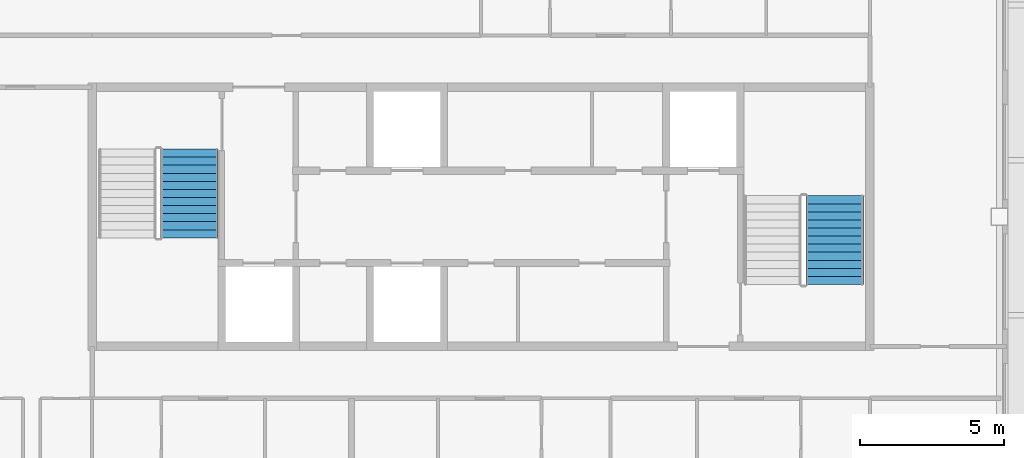
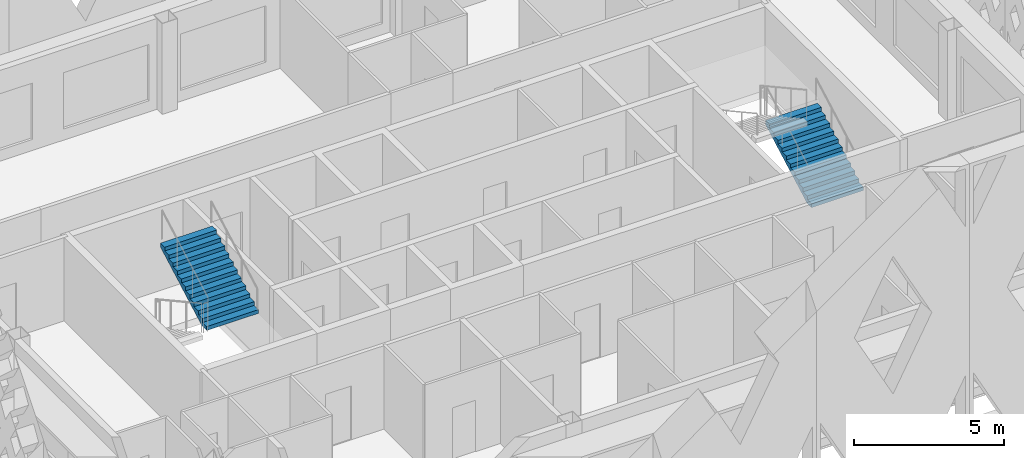
# One storey, part 8 of 13: 2 stair flights, 2 elements without a shape of their own.
"""IFC4 building model written with IfcOpenShell, lengths in metres."""

from ifc_helpers import new_model, si_unit, direction, frame, origin, place, context, subcontext, project, spatial, polygons, material, type_object, element, aggregate, save


model = new_model("IFC4")

# Units and contexts
model_context = context("Model", 3, precision=1e-05, world=origin(), true_north=direction((0.0, 1.0)))
body_context = subcontext(model_context, "Body", "Model", "MODEL_VIEW")
ifc_project = project(units=[si_unit("LENGTHUNIT", "METRE"), si_unit("AREAUNIT", "SQUARE_METRE"), si_unit("VOLUMEUNIT", "CUBIC_METRE"), si_unit("PLANEANGLEUNIT", "RADIAN"), si_unit("MASSUNIT", "GRAM", prefix="KILO")], contexts=[model_context])

# Site, building, storey
site_placement = place(None, origin())
site = spatial("IfcSite", under=ifc_project, at=site_placement, CompositionType="ELEMENT")
building_placement = place(site_placement, origin())
building = spatial("IfcBuilding", under=site, at=building_placement, Name="Caravel Reach Hotel and Residences", CompositionType="ELEMENT")
storey_placement = place(building_placement, frame((0.0, 0.0, 294.5)))
storey = spatial("IfcBuildingStorey", under=building, at=storey_placement, Name="L75", CompositionType="ELEMENT", Elevation=294.5)

# Stair, stair flight
ifc_material_1 = material(Name="Concrete C40", Category="concrete")
stair_type = type_object("IfcStairType", Name="Core stair", PredefinedType="HALF_TURN_STAIR", material=ifc_material_1)
stair_1_placement = place(storey_placement, origin())
stair_1 = element("IfcStair", 1, at=stair_1_placement, inside=storey, type_object=stair_type, Name="L75 Exit stair A", PredefinedType="HALF_TURN_STAIR")
ifc_material_2 = material(Name="Concrete C40", Category="concrete")
stair_flight_type = type_object("IfcStairFlightType", Name="Core stair flight", PredefinedType="STRAIGHT", material=ifc_material_2)
stair_flight_1_placement = place(storey_placement, frame((21.375, 26.27001953125, 1.85009765625), z_axis=(0.0, 0.0, 1.0), x_axis=(0.0, 1.0, 0.0)))
stair_flight_1 = element("IfcStairFlight", 2, at=stair_flight_1_placement, type_object=stair_flight_type, Name="ST-A flight 2", NumberOfRisers=12, NumberOfTreads=11, PredefinedType="STRAIGHT", RiserHeight=0.154166667, TreadLength=0.28, context=body_context, shape_type="Tessellation", body=[
    polygons([(0.3107950034306102, 1.0, 0.0), (0.3107950034306102, 0.6666666666666667, 0.0), (0.3107950034306102, 0.33333333333333337, 0.0), (0.3107950034306102, 0.0, 0.0), (0.3107950034306102, -0.33333333333333326, 0.0), (0.3107950034306102, -0.6666666666666667, 0.0), (0.3107950034306102, -1.0, 0.0), (3.081, 1.0, 1.524711087717319), (3.081, 0.6666666666666667, 1.524711087717319), (3.081, 0.33333333333333337, 1.524711087717319), (3.081, 0.0, 1.524711087717319), (3.081, -0.33333333333333326, 1.524711087717319), (3.081, -0.6666666666666667, 1.524711087717319), (3.081, -1.0, 1.524711087717319), (3.081, 1.0, 1.695833337), (3.081, 0.6666666666666667, 1.695833337), (3.081, 0.33333333333333337, 1.695833337), (3.081, 0.0, 1.695833337), (3.081, -0.33333333333333326, 1.695833337), (3.081, -0.6666666666666667, 1.695833337), (3.081, -1.0, 1.695833337), (2.8000000000000003, 1.0, 1.695833337), (2.8000000000000003, 0.6666666666666667, 1.695833337), (2.8000000000000003, 0.33333333333333337, 1.695833337), (2.8000000000000003, 0.0, 1.695833337), (2.8000000000000003, -0.33333333333333326, 1.695833337), (2.8000000000000003, -0.6666666666666667, 1.695833337), (2.8000000000000003, -1.0, 1.695833337), (2.8000000000000003, 1.0, 1.5416666700000001), (2.8000000000000003, 0.6666666666666667, 1.5416666700000001), (2.8000000000000003, 0.33333333333333337, 1.5416666700000001), (2.8000000000000003, 0.0, 1.5416666700000001), (2.8000000000000003, -0.33333333333333326, 1.5416666700000001), (2.8000000000000003, -0.6666666666666667, 1.5416666700000001), (2.8000000000000003, -1.0, 1.5416666700000001), (2.5200000000000005, 1.0, 1.5416666700000001), (2.5200000000000005, 0.6666666666666667, 1.5416666700000001), (2.5200000000000005, 0.33333333333333337, 1.5416666700000001), (2.5200000000000005, 0.0, 1.5416666700000001), (2.5200000000000005, -0.33333333333333326, 1.5416666700000001), (2.5200000000000005, -0.6666666666666667, 1.5416666700000001), (2.5200000000000005, -1.0, 1.5416666700000001), (2.5200000000000005, 1.0, 1.387500003), (2.5200000000000005, 0.6666666666666667, 1.387500003), (2.5200000000000005, 0.33333333333333337, 1.387500003), (2.5200000000000005, 0.0, 1.387500003), (2.5200000000000005, -0.33333333333333326, 1.387500003), (2.5200000000000005, -0.6666666666666667, 1.387500003), (2.5200000000000005, -1.0, 1.387500003), (2.24, 1.0, 1.387500003), (2.24, 0.6666666666666667, 1.387500003), (2.24, 0.33333333333333337, 1.387500003), (2.24, 0.0, 1.387500003), (2.24, -0.33333333333333326, 1.387500003), (2.24, -0.6666666666666667, 1.387500003), (2.24, -1.0, 1.387500003), (2.24, 1.0, 1.233333336), (2.24, 0.6666666666666667, 1.233333336), (2.24, 0.33333333333333337, 1.233333336), (2.24, 0.0, 1.233333336), (2.24, -0.33333333333333326, 1.233333336), (2.24, -0.6666666666666667, 1.233333336), (2.24, -1.0, 1.233333336), (1.9600000000000002, 1.0, 1.233333336), (1.9600000000000002, 0.6666666666666667, 1.233333336), (1.9600000000000002, 0.33333333333333337, 1.233333336), (1.9600000000000002, 0.0, 1.233333336), (1.9600000000000002, -0.33333333333333326, 1.233333336), (1.9600000000000002, -0.6666666666666667, 1.233333336), (1.9600000000000002, -1.0, 1.233333336), (1.9600000000000002, 1.0, 1.0791666690000001), (1.9600000000000002, 0.6666666666666667, 1.0791666690000001), (1.9600000000000002, 0.33333333333333337, 1.0791666690000001), (1.9600000000000002, 0.0, 1.0791666690000001), (1.9600000000000002, -0.33333333333333326, 1.0791666690000001), (1.9600000000000002, -0.6666666666666667, 1.0791666690000001), (1.9600000000000002, -1.0, 1.0791666690000001), (1.6800000000000002, 1.0, 1.0791666690000001), (1.6800000000000002, 0.6666666666666667, 1.0791666690000001), (1.6800000000000002, 0.33333333333333337, 1.0791666690000001), (1.6800000000000002, 0.0, 1.0791666690000001), (1.6800000000000002, -0.33333333333333326, 1.0791666690000001), (1.6800000000000002, -0.6666666666666667, 1.0791666690000001), (1.6800000000000002, -1.0, 1.0791666690000001), (1.6800000000000002, 1.0, 0.925000002), (1.6800000000000002, 0.6666666666666667, 0.925000002), (1.6800000000000002, 0.33333333333333337, 0.925000002), (1.6800000000000002, 0.0, 0.925000002), (1.6800000000000002, -0.33333333333333326, 0.925000002), (1.6800000000000002, -0.6666666666666667, 0.925000002), (1.6800000000000002, -1.0, 0.925000002), (1.4000000000000001, 1.0, 0.925000002), (1.4000000000000001, 0.6666666666666667, 0.925000002), (1.4000000000000001, 0.33333333333333337, 0.925000002), (1.4000000000000001, 0.0, 0.925000002), (1.4000000000000001, -0.33333333333333326, 0.925000002), (1.4000000000000001, -0.6666666666666667, 0.925000002), (1.4000000000000001, -1.0, 0.925000002), (1.4000000000000001, 1.0, 0.7708333350000001), (1.4000000000000001, 0.6666666666666667, 0.7708333350000001), (1.4000000000000001, 0.33333333333333337, 0.7708333350000001), (1.4000000000000001, 0.0, 0.7708333350000001), (1.4000000000000001, -0.33333333333333326, 0.7708333350000001), (1.4000000000000001, -0.6666666666666667, 0.7708333350000001), (1.4000000000000001, -1.0, 0.7708333350000001), (1.12, 1.0, 0.7708333350000001), (1.12, 0.6666666666666667, 0.7708333350000001), (1.12, 0.33333333333333337, 0.7708333350000001), (1.12, 0.0, 0.7708333350000001), (1.12, -0.33333333333333326, 0.7708333350000001), (1.12, -0.6666666666666667, 0.7708333350000001), (1.12, -1.0, 0.7708333350000001), (1.12, 1.0, 0.616666668), (1.12, 0.6666666666666667, 0.616666668), (1.12, 0.33333333333333337, 0.616666668), (1.12, 0.0, 0.616666668), (1.12, -0.33333333333333326, 0.616666668), (1.12, -0.6666666666666667, 0.616666668), (1.12, -1.0, 0.616666668), (0.8400000000000001, 1.0, 0.616666668), (0.8400000000000001, 0.6666666666666667, 0.616666668), (0.8400000000000001, 0.33333333333333337, 0.616666668), (0.8400000000000001, 0.0, 0.616666668), (0.8400000000000001, -0.33333333333333326, 0.616666668), (0.8400000000000001, -0.6666666666666667, 0.616666668), (0.8400000000000001, -1.0, 0.616666668), (0.8400000000000001, 1.0, 0.462500001), (0.8400000000000001, 0.6666666666666667, 0.462500001), (0.8400000000000001, 0.33333333333333337, 0.462500001), (0.8400000000000001, 0.0, 0.462500001), (0.8400000000000001, -0.33333333333333326, 0.462500001), (0.8400000000000001, -0.6666666666666667, 0.462500001), (0.8400000000000001, -1.0, 0.462500001), (0.56, 1.0, 0.462500001), (0.56, 0.6666666666666667, 0.462500001), (0.56, 0.33333333333333337, 0.462500001), (0.56, 0.0, 0.462500001), (0.56, -0.33333333333333326, 0.462500001), (0.56, -0.6666666666666667, 0.462500001), (0.56, -1.0, 0.462500001), (0.56, 1.0, 0.308333334), (0.56, 0.6666666666666667, 0.308333334), (0.56, 0.33333333333333337, 0.308333334), (0.56, 0.0, 0.308333334), (0.56, -0.33333333333333326, 0.308333334), (0.56, -0.6666666666666667, 0.308333334), (0.56, -1.0, 0.308333334), (0.28, 1.0, 0.308333334), (0.28, 0.6666666666666667, 0.308333334), (0.28, 0.33333333333333337, 0.308333334), (0.28, 0.0, 0.308333334), (0.28, -0.33333333333333326, 0.308333334), (0.28, -0.6666666666666667, 0.308333334), (0.28, -1.0, 0.308333334), (0.28, 1.0, 0.154166667), (0.28, 0.6666666666666667, 0.154166667), (0.28, 0.33333333333333337, 0.154166667), (0.28, 0.0, 0.154166667), (0.28, -0.33333333333333326, 0.154166667), (0.28, -0.6666666666666667, 0.154166667), (0.28, -1.0, 0.154166667), (-0.001, 1.0, 0.154166667), (-0.001, 0.6666666666666667, 0.154166667), (-0.001, 0.33333333333333337, 0.154166667), (-0.001, 0.0, 0.154166667), (-0.001, -0.33333333333333326, 0.154166667), (-0.001, -0.6666666666666667, 0.154166667), (-0.001, -1.0, 0.154166667), (-0.001, 1.0, 0.0), (-0.001, 0.6666666666666667, 0.0), (-0.001, 0.33333333333333337, 0.0), (-0.001, 0.0, 0.0), (-0.001, -0.33333333333333326, 0.0), (-0.001, -0.6666666666666667, 0.0), (-0.001, -1.0, 0.0)], [[[169, 162, 155, 148, 141, 134, 127, 120, 113, 106, 99, 92, 85, 78, 71, 64, 57, 50, 43, 36, 29, 22, 15, 8, 1]], [[7, 14, 21, 28, 35, 42, 49, 56, 63, 70, 77, 84, 91, 98, 105, 112, 119, 126, 133, 140, 147, 154, 161, 168, 175]], [[1, 8, 9, 2]], [[2, 9, 10, 3]], [[3, 10, 11, 4]], [[4, 11, 12, 5]], [[5, 12, 13, 6]], [[6, 13, 14, 7]], [[8, 15, 16, 9]], [[9, 16, 17, 10]], [[10, 17, 18, 11]], [[11, 18, 19, 12]], [[12, 19, 20, 13]], [[13, 20, 21, 14]], [[15, 22, 23, 16]], [[16, 23, 24, 17]], [[17, 24, 25, 18]], [[18, 25, 26, 19]], [[19, 26, 27, 20]], [[20, 27, 28, 21]], [[22, 29, 30, 23]], [[23, 30, 31, 24]], [[24, 31, 32, 25]], [[25, 32, 33, 26]], [[26, 33, 34, 27]], [[27, 34, 35, 28]], [[29, 36, 37, 30]], [[30, 37, 38, 31]], [[31, 38, 39, 32]], [[32, 39, 40, 33]], [[33, 40, 41, 34]], [[34, 41, 42, 35]], [[36, 43, 44, 37]], [[37, 44, 45, 38]], [[38, 45, 46, 39]], [[39, 46, 47, 40]], [[40, 47, 48, 41]], [[41, 48, 49, 42]], [[43, 50, 51, 44]], [[44, 51, 52, 45]], [[45, 52, 53, 46]], [[46, 53, 54, 47]], [[47, 54, 55, 48]], [[48, 55, 56, 49]], [[50, 57, 58, 51]], [[51, 58, 59, 52]], [[52, 59, 60, 53]], [[53, 60, 61, 54]], [[54, 61, 62, 55]], [[55, 62, 63, 56]], [[57, 64, 65, 58]], [[58, 65, 66, 59]], [[59, 66, 67, 60]], [[60, 67, 68, 61]], [[61, 68, 69, 62]], [[62, 69, 70, 63]], [[64, 71, 72, 65]], [[65, 72, 73, 66]], [[66, 73, 74, 67]], [[67, 74, 75, 68]], [[68, 75, 76, 69]], [[69, 76, 77, 70]], [[71, 78, 79, 72]], [[72, 79, 80, 73]], [[73, 80, 81, 74]], [[74, 81, 82, 75]], [[75, 82, 83, 76]], [[76, 83, 84, 77]], [[78, 85, 86, 79]], [[79, 86, 87, 80]], [[80, 87, 88, 81]], [[81, 88, 89, 82]], [[82, 89, 90, 83]], [[83, 90, 91, 84]], [[85, 92, 93, 86]], [[86, 93, 94, 87]], [[87, 94, 95, 88]], [[88, 95, 96, 89]], [[89, 96, 97, 90]], [[90, 97, 98, 91]], [[92, 99, 100, 93]], [[93, 100, 101, 94]], [[94, 101, 102, 95]], [[95, 102, 103, 96]], [[96, 103, 104, 97]], [[97, 104, 105, 98]], [[99, 106, 107, 100]], [[100, 107, 108, 101]], [[101, 108, 109, 102]], [[102, 109, 110, 103]], [[103, 110, 111, 104]], [[104, 111, 112, 105]], [[106, 113, 114, 107]], [[107, 114, 115, 108]], [[108, 115, 116, 109]], [[109, 116, 117, 110]], [[110, 117, 118, 111]], [[111, 118, 119, 112]], [[113, 120, 121, 114]], [[114, 121, 122, 115]], [[115, 122, 123, 116]], [[116, 123, 124, 117]], [[117, 124, 125, 118]], [[118, 125, 126, 119]], [[120, 127, 128, 121]], [[121, 128, 129, 122]], [[122, 129, 130, 123]], [[123, 130, 131, 124]], [[124, 131, 132, 125]], [[125, 132, 133, 126]], [[127, 134, 135, 128]], [[128, 135, 136, 129]], [[129, 136, 137, 130]], [[130, 137, 138, 131]], [[131, 138, 139, 132]], [[132, 139, 140, 133]], [[134, 141, 142, 135]], [[135, 142, 143, 136]], [[136, 143, 144, 137]], [[137, 144, 145, 138]], [[138, 145, 146, 139]], [[139, 146, 147, 140]], [[141, 148, 149, 142]], [[142, 149, 150, 143]], [[143, 150, 151, 144]], [[144, 151, 152, 145]], [[145, 152, 153, 146]], [[146, 153, 154, 147]], [[148, 155, 156, 149]], [[149, 156, 157, 150]], [[150, 157, 158, 151]], [[151, 158, 159, 152]], [[152, 159, 160, 153]], [[153, 160, 161, 154]], [[155, 162, 163, 156]], [[156, 163, 164, 157]], [[157, 164, 165, 158]], [[158, 165, 166, 159]], [[159, 166, 167, 160]], [[160, 167, 168, 161]], [[162, 169, 170, 163]], [[163, 170, 171, 164]], [[164, 171, 172, 165]], [[165, 172, 173, 166]], [[166, 173, 174, 167]], [[167, 174, 175, 168]], [[169, 1, 2, 170]], [[170, 2, 3, 171]], [[171, 3, 4, 172]], [[172, 4, 5, 173]], [[173, 5, 6, 174]], [[174, 6, 7, 175]]], closed=True),
])
aggregate(stair_1, [stair_flight_1])

stair_2_placement = place(storey_placement, origin())
stair_2 = element("IfcStair", 3, at=stair_2_placement, inside=storey, type_object=stair_type, Name="L75 Exit stair B", PredefinedType="HALF_TURN_STAIR")
stair_flight_2_placement = place(storey_placement, frame((43.77490234375, 24.64990234375, 0.0), z_axis=(0.0, 0.0, 1.0), x_axis=(0.0, 1.0, 0.0)))
stair_flight_2 = element("IfcStairFlight", 4, at=stair_flight_2_placement, type_object=stair_flight_type, Name="ST-B flight 1", NumberOfRisers=12, NumberOfTreads=11, PredefinedType="STRAIGHT", RiserHeight=0.154166667, TreadLength=0.28, context=body_context, shape_type="Tessellation", body=[
    polygons([(0.3107950034306102, 1.0, 0.0), (0.3107950034306102, 0.6666666666666667, 0.0), (0.3107950034306102, 0.33333333333333337, 0.0), (0.3107950034306102, 0.0, 0.0), (0.3107950034306102, -0.33333333333333326, 0.0), (0.3107950034306102, -0.6666666666666667, 0.0), (0.3107950034306102, -1.0, 0.0), (3.081, 1.0, 1.524711087717319), (3.081, 0.6666666666666667, 1.524711087717319), (3.081, 0.33333333333333337, 1.524711087717319), (3.081, 0.0, 1.524711087717319), (3.081, -0.33333333333333326, 1.524711087717319), (3.081, -0.6666666666666667, 1.524711087717319), (3.081, -1.0, 1.524711087717319), (3.081, 1.0, 1.695833337), (3.081, 0.6666666666666667, 1.695833337), (3.081, 0.33333333333333337, 1.695833337), (3.081, 0.0, 1.695833337), (3.081, -0.33333333333333326, 1.695833337), (3.081, -0.6666666666666667, 1.695833337), (3.081, -1.0, 1.695833337), (2.8000000000000003, 1.0, 1.695833337), (2.8000000000000003, 0.6666666666666667, 1.695833337), (2.8000000000000003, 0.33333333333333337, 1.695833337), (2.8000000000000003, 0.0, 1.695833337), (2.8000000000000003, -0.33333333333333326, 1.695833337), (2.8000000000000003, -0.6666666666666667, 1.695833337), (2.8000000000000003, -1.0, 1.695833337), (2.8000000000000003, 1.0, 1.5416666700000001), (2.8000000000000003, 0.6666666666666667, 1.5416666700000001), (2.8000000000000003, 0.33333333333333337, 1.5416666700000001), (2.8000000000000003, 0.0, 1.5416666700000001), (2.8000000000000003, -0.33333333333333326, 1.5416666700000001), (2.8000000000000003, -0.6666666666666667, 1.5416666700000001), (2.8000000000000003, -1.0, 1.5416666700000001), (2.5200000000000005, 1.0, 1.5416666700000001), (2.5200000000000005, 0.6666666666666667, 1.5416666700000001), (2.5200000000000005, 0.33333333333333337, 1.5416666700000001), (2.5200000000000005, 0.0, 1.5416666700000001), (2.5200000000000005, -0.33333333333333326, 1.5416666700000001), (2.5200000000000005, -0.6666666666666667, 1.5416666700000001), (2.5200000000000005, -1.0, 1.5416666700000001), (2.5200000000000005, 1.0, 1.387500003), (2.5200000000000005, 0.6666666666666667, 1.387500003), (2.5200000000000005, 0.33333333333333337, 1.387500003), (2.5200000000000005, 0.0, 1.387500003), (2.5200000000000005, -0.33333333333333326, 1.387500003), (2.5200000000000005, -0.6666666666666667, 1.387500003), (2.5200000000000005, -1.0, 1.387500003), (2.24, 1.0, 1.387500003), (2.24, 0.6666666666666667, 1.387500003), (2.24, 0.33333333333333337, 1.387500003), (2.24, 0.0, 1.387500003), (2.24, -0.33333333333333326, 1.387500003), (2.24, -0.6666666666666667, 1.387500003), (2.24, -1.0, 1.387500003), (2.24, 1.0, 1.233333336), (2.24, 0.6666666666666667, 1.233333336), (2.24, 0.33333333333333337, 1.233333336), (2.24, 0.0, 1.233333336), (2.24, -0.33333333333333326, 1.233333336), (2.24, -0.6666666666666667, 1.233333336), (2.24, -1.0, 1.233333336), (1.9600000000000002, 1.0, 1.233333336), (1.9600000000000002, 0.6666666666666667, 1.233333336), (1.9600000000000002, 0.33333333333333337, 1.233333336), (1.9600000000000002, 0.0, 1.233333336), (1.9600000000000002, -0.33333333333333326, 1.233333336), (1.9600000000000002, -0.6666666666666667, 1.233333336), (1.9600000000000002, -1.0, 1.233333336), (1.9600000000000002, 1.0, 1.0791666690000001), (1.9600000000000002, 0.6666666666666667, 1.0791666690000001), (1.9600000000000002, 0.33333333333333337, 1.0791666690000001), (1.9600000000000002, 0.0, 1.0791666690000001), (1.9600000000000002, -0.33333333333333326, 1.0791666690000001), (1.9600000000000002, -0.6666666666666667, 1.0791666690000001), (1.9600000000000002, -1.0, 1.0791666690000001), (1.6800000000000002, 1.0, 1.0791666690000001), (1.6800000000000002, 0.6666666666666667, 1.0791666690000001), (1.6800000000000002, 0.33333333333333337, 1.0791666690000001), (1.6800000000000002, 0.0, 1.0791666690000001), (1.6800000000000002, -0.33333333333333326, 1.0791666690000001), (1.6800000000000002, -0.6666666666666667, 1.0791666690000001), (1.6800000000000002, -1.0, 1.0791666690000001), (1.6800000000000002, 1.0, 0.925000002), (1.6800000000000002, 0.6666666666666667, 0.925000002), (1.6800000000000002, 0.33333333333333337, 0.925000002), (1.6800000000000002, 0.0, 0.925000002), (1.6800000000000002, -0.33333333333333326, 0.925000002), (1.6800000000000002, -0.6666666666666667, 0.925000002), (1.6800000000000002, -1.0, 0.925000002), (1.4000000000000001, 1.0, 0.925000002), (1.4000000000000001, 0.6666666666666667, 0.925000002), (1.4000000000000001, 0.33333333333333337, 0.925000002), (1.4000000000000001, 0.0, 0.925000002), (1.4000000000000001, -0.33333333333333326, 0.925000002), (1.4000000000000001, -0.6666666666666667, 0.925000002), (1.4000000000000001, -1.0, 0.925000002), (1.4000000000000001, 1.0, 0.7708333350000001), (1.4000000000000001, 0.6666666666666667, 0.7708333350000001), (1.4000000000000001, 0.33333333333333337, 0.7708333350000001), (1.4000000000000001, 0.0, 0.7708333350000001), (1.4000000000000001, -0.33333333333333326, 0.7708333350000001), (1.4000000000000001, -0.6666666666666667, 0.7708333350000001), (1.4000000000000001, -1.0, 0.7708333350000001), (1.12, 1.0, 0.7708333350000001), (1.12, 0.6666666666666667, 0.7708333350000001), (1.12, 0.33333333333333337, 0.7708333350000001), (1.12, 0.0, 0.7708333350000001), (1.12, -0.33333333333333326, 0.7708333350000001), (1.12, -0.6666666666666667, 0.7708333350000001), (1.12, -1.0, 0.7708333350000001), (1.12, 1.0, 0.616666668), (1.12, 0.6666666666666667, 0.616666668), (1.12, 0.33333333333333337, 0.616666668), (1.12, 0.0, 0.616666668), (1.12, -0.33333333333333326, 0.616666668), (1.12, -0.6666666666666667, 0.616666668), (1.12, -1.0, 0.616666668), (0.8400000000000001, 1.0, 0.616666668), (0.8400000000000001, 0.6666666666666667, 0.616666668), (0.8400000000000001, 0.33333333333333337, 0.616666668), (0.8400000000000001, 0.0, 0.616666668), (0.8400000000000001, -0.33333333333333326, 0.616666668), (0.8400000000000001, -0.6666666666666667, 0.616666668), (0.8400000000000001, -1.0, 0.616666668), (0.8400000000000001, 1.0, 0.462500001), (0.8400000000000001, 0.6666666666666667, 0.462500001), (0.8400000000000001, 0.33333333333333337, 0.462500001), (0.8400000000000001, 0.0, 0.462500001), (0.8400000000000001, -0.33333333333333326, 0.462500001), (0.8400000000000001, -0.6666666666666667, 0.462500001), (0.8400000000000001, -1.0, 0.462500001), (0.56, 1.0, 0.462500001), (0.56, 0.6666666666666667, 0.462500001), (0.56, 0.33333333333333337, 0.462500001), (0.56, 0.0, 0.462500001), (0.56, -0.33333333333333326, 0.462500001), (0.56, -0.6666666666666667, 0.462500001), (0.56, -1.0, 0.462500001), (0.56, 1.0, 0.308333334), (0.56, 0.6666666666666667, 0.308333334), (0.56, 0.33333333333333337, 0.308333334), (0.56, 0.0, 0.308333334), (0.56, -0.33333333333333326, 0.308333334), (0.56, -0.6666666666666667, 0.308333334), (0.56, -1.0, 0.308333334), (0.28, 1.0, 0.308333334), (0.28, 0.6666666666666667, 0.308333334), (0.28, 0.33333333333333337, 0.308333334), (0.28, 0.0, 0.308333334), (0.28, -0.33333333333333326, 0.308333334), (0.28, -0.6666666666666667, 0.308333334), (0.28, -1.0, 0.308333334), (0.28, 1.0, 0.154166667), (0.28, 0.6666666666666667, 0.154166667), (0.28, 0.33333333333333337, 0.154166667), (0.28, 0.0, 0.154166667), (0.28, -0.33333333333333326, 0.154166667), (0.28, -0.6666666666666667, 0.154166667), (0.28, -1.0, 0.154166667), (-0.001, 1.0, 0.154166667), (-0.001, 0.6666666666666667, 0.154166667), (-0.001, 0.33333333333333337, 0.154166667), (-0.001, 0.0, 0.154166667), (-0.001, -0.33333333333333326, 0.154166667), (-0.001, -0.6666666666666667, 0.154166667), (-0.001, -1.0, 0.154166667), (-0.001, 1.0, 0.0), (-0.001, 0.6666666666666667, 0.0), (-0.001, 0.33333333333333337, 0.0), (-0.001, 0.0, 0.0), (-0.001, -0.33333333333333326, 0.0), (-0.001, -0.6666666666666667, 0.0), (-0.001, -1.0, 0.0)], [[[169, 162, 155, 148, 141, 134, 127, 120, 113, 106, 99, 92, 85, 78, 71, 64, 57, 50, 43, 36, 29, 22, 15, 8, 1]], [[7, 14, 21, 28, 35, 42, 49, 56, 63, 70, 77, 84, 91, 98, 105, 112, 119, 126, 133, 140, 147, 154, 161, 168, 175]], [[1, 8, 9, 2]], [[2, 9, 10, 3]], [[3, 10, 11, 4]], [[4, 11, 12, 5]], [[5, 12, 13, 6]], [[6, 13, 14, 7]], [[8, 15, 16, 9]], [[9, 16, 17, 10]], [[10, 17, 18, 11]], [[11, 18, 19, 12]], [[12, 19, 20, 13]], [[13, 20, 21, 14]], [[15, 22, 23, 16]], [[16, 23, 24, 17]], [[17, 24, 25, 18]], [[18, 25, 26, 19]], [[19, 26, 27, 20]], [[20, 27, 28, 21]], [[22, 29, 30, 23]], [[23, 30, 31, 24]], [[24, 31, 32, 25]], [[25, 32, 33, 26]], [[26, 33, 34, 27]], [[27, 34, 35, 28]], [[29, 36, 37, 30]], [[30, 37, 38, 31]], [[31, 38, 39, 32]], [[32, 39, 40, 33]], [[33, 40, 41, 34]], [[34, 41, 42, 35]], [[36, 43, 44, 37]], [[37, 44, 45, 38]], [[38, 45, 46, 39]], [[39, 46, 47, 40]], [[40, 47, 48, 41]], [[41, 48, 49, 42]], [[43, 50, 51, 44]], [[44, 51, 52, 45]], [[45, 52, 53, 46]], [[46, 53, 54, 47]], [[47, 54, 55, 48]], [[48, 55, 56, 49]], [[50, 57, 58, 51]], [[51, 58, 59, 52]], [[52, 59, 60, 53]], [[53, 60, 61, 54]], [[54, 61, 62, 55]], [[55, 62, 63, 56]], [[57, 64, 65, 58]], [[58, 65, 66, 59]], [[59, 66, 67, 60]], [[60, 67, 68, 61]], [[61, 68, 69, 62]], [[62, 69, 70, 63]], [[64, 71, 72, 65]], [[65, 72, 73, 66]], [[66, 73, 74, 67]], [[67, 74, 75, 68]], [[68, 75, 76, 69]], [[69, 76, 77, 70]], [[71, 78, 79, 72]], [[72, 79, 80, 73]], [[73, 80, 81, 74]], [[74, 81, 82, 75]], [[75, 82, 83, 76]], [[76, 83, 84, 77]], [[78, 85, 86, 79]], [[79, 86, 87, 80]], [[80, 87, 88, 81]], [[81, 88, 89, 82]], [[82, 89, 90, 83]], [[83, 90, 91, 84]], [[85, 92, 93, 86]], [[86, 93, 94, 87]], [[87, 94, 95, 88]], [[88, 95, 96, 89]], [[89, 96, 97, 90]], [[90, 97, 98, 91]], [[92, 99, 100, 93]], [[93, 100, 101, 94]], [[94, 101, 102, 95]], [[95, 102, 103, 96]], [[96, 103, 104, 97]], [[97, 104, 105, 98]], [[99, 106, 107, 100]], [[100, 107, 108, 101]], [[101, 108, 109, 102]], [[102, 109, 110, 103]], [[103, 110, 111, 104]], [[104, 111, 112, 105]], [[106, 113, 114, 107]], [[107, 114, 115, 108]], [[108, 115, 116, 109]], [[109, 116, 117, 110]], [[110, 117, 118, 111]], [[111, 118, 119, 112]], [[113, 120, 121, 114]], [[114, 121, 122, 115]], [[115, 122, 123, 116]], [[116, 123, 124, 117]], [[117, 124, 125, 118]], [[118, 125, 126, 119]], [[120, 127, 128, 121]], [[121, 128, 129, 122]], [[122, 129, 130, 123]], [[123, 130, 131, 124]], [[124, 131, 132, 125]], [[125, 132, 133, 126]], [[127, 134, 135, 128]], [[128, 135, 136, 129]], [[129, 136, 137, 130]], [[130, 137, 138, 131]], [[131, 138, 139, 132]], [[132, 139, 140, 133]], [[134, 141, 142, 135]], [[135, 142, 143, 136]], [[136, 143, 144, 137]], [[137, 144, 145, 138]], [[138, 145, 146, 139]], [[139, 146, 147, 140]], [[141, 148, 149, 142]], [[142, 149, 150, 143]], [[143, 150, 151, 144]], [[144, 151, 152, 145]], [[145, 152, 153, 146]], [[146, 153, 154, 147]], [[148, 155, 156, 149]], [[149, 156, 157, 150]], [[150, 157, 158, 151]], [[151, 158, 159, 152]], [[152, 159, 160, 153]], [[153, 160, 161, 154]], [[155, 162, 163, 156]], [[156, 163, 164, 157]], [[157, 164, 165, 158]], [[158, 165, 166, 159]], [[159, 166, 167, 160]], [[160, 167, 168, 161]], [[162, 169, 170, 163]], [[163, 170, 171, 164]], [[164, 171, 172, 165]], [[165, 172, 173, 166]], [[166, 173, 174, 167]], [[167, 174, 175, 168]], [[169, 1, 2, 170]], [[170, 2, 3, 171]], [[171, 3, 4, 172]], [[172, 4, 5, 173]], [[173, 5, 6, 174]], [[174, 6, 7, 175]]], closed=True),
])
aggregate(stair_2, [stair_flight_2])

save(model, "model.ifc")
